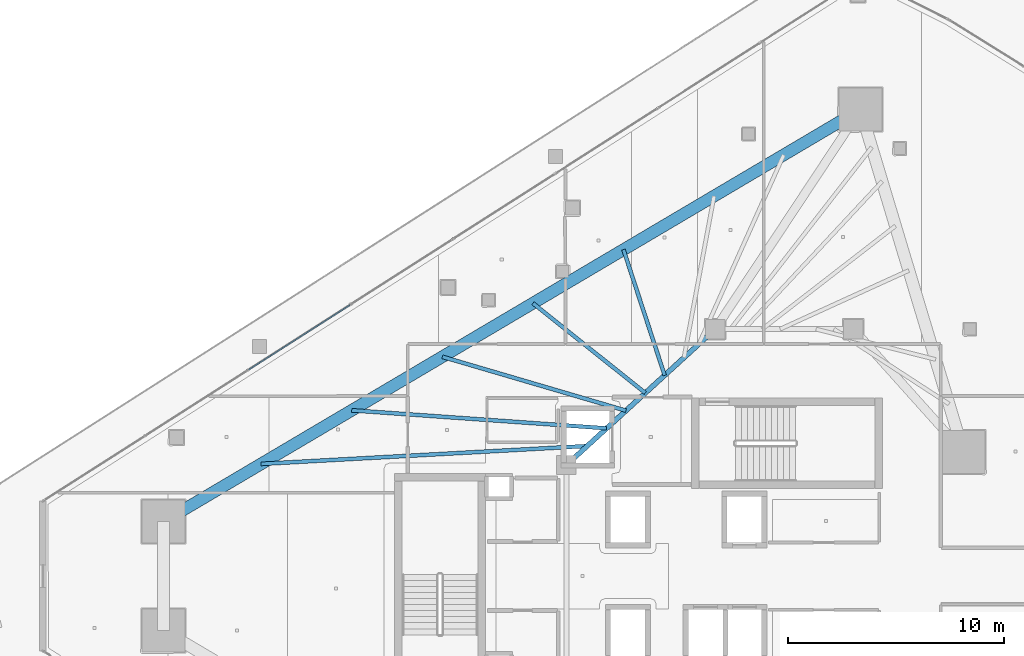
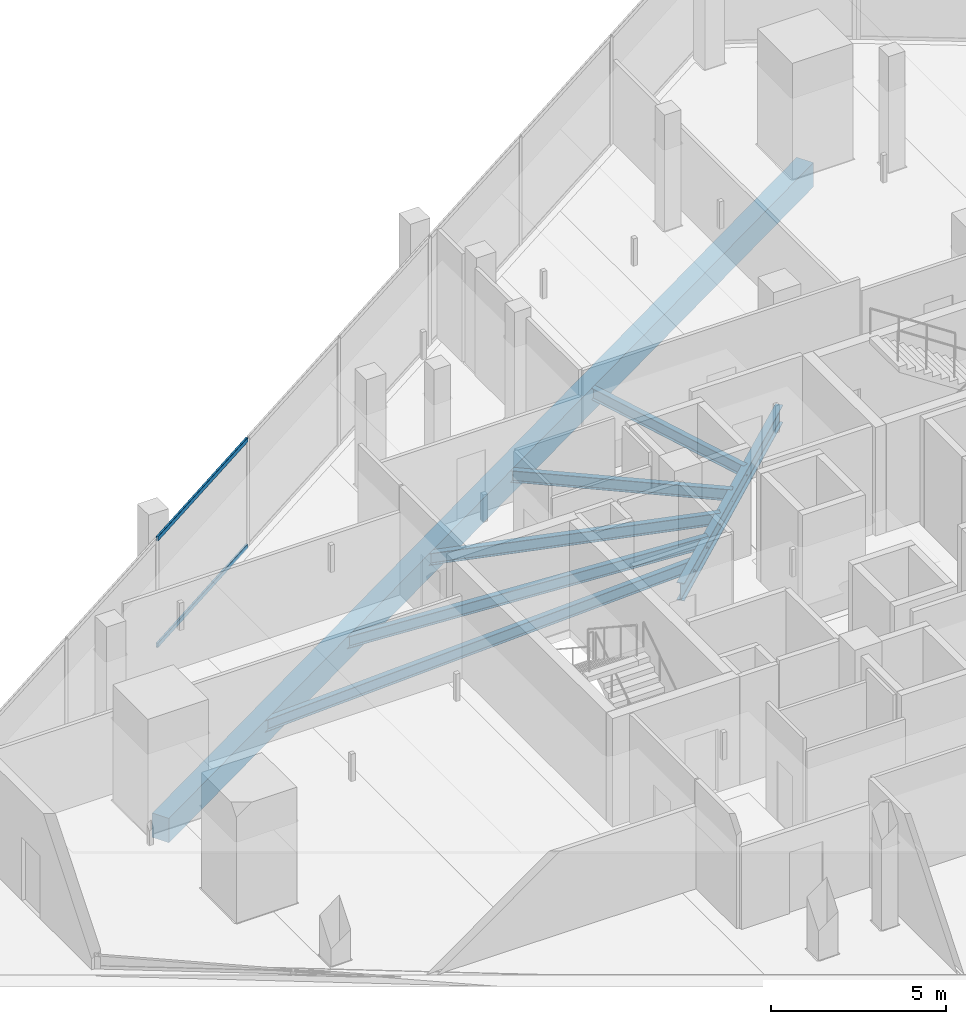
# One storey, part 16 of 37: 7 beams, 2 members, 1 element without a shape of its own.
"""IFC4 building model written with IfcOpenShell, lengths in metres."""

from ifc_helpers import new_model, si_unit, direction, frame, origin, origin_2d, place, context, subcontext, project, spatial, rectangle, hollow_rectangle, i_section, extrude, material, layer, layer_set, material_profile, profile_set, type_object, element, aggregate, save


model = new_model("IFC4")

# Units and contexts
model_context = context("Model", 3, precision=1e-05, world=origin(), true_north=direction((0.0, 1.0)))
body_context = subcontext(model_context, "Body", "Model", "MODEL_VIEW")
ifc_project = project(units=[si_unit("LENGTHUNIT", "METRE"), si_unit("AREAUNIT", "SQUARE_METRE"), si_unit("VOLUMEUNIT", "CUBIC_METRE"), si_unit("PLANEANGLEUNIT", "RADIAN"), si_unit("MASSUNIT", "GRAM", prefix="KILO")], contexts=[model_context])

# Site, building, storey
site_placement = place(None, origin())
site = spatial("IfcSite", under=ifc_project, at=site_placement, CompositionType="ELEMENT")
building_placement = place(site_placement, origin())
building = spatial("IfcBuilding", under=site, at=building_placement, Name="Qorvath Tower", CompositionType="ELEMENT")
storey_placement = place(building_placement, frame((0.0, 0.0, 196.949951171875)))
storey = spatial("IfcBuildingStorey", under=building, at=storey_placement, Name="L45", CompositionType="ELEMENT", Elevation=196.949951171875)

# Beams
ifc_material_1 = material(Name="Steel ASTM A992 Grade 50", Category="steel")
ifc_material_profile_1 = material_profile(ifc_material_1, i_section(OverallWidth=0.22998046875, OverallDepth=0.616943359375, WebThickness=0.01318359375, FlangeThickness=0.022216796875, FilletRadius=0.014892578125, at=origin_2d()), Name="W24x94")
ifc_profile_set_1 = profile_set([ifc_material_profile_1], Name="Steel ASTM A992 Grade 50")
beam_type_1 = type_object("IfcBeamType", Name="BM-FG6", PredefinedType="BEAM", material=ifc_profile_set_1)
beam_1_placement = place(storey_placement, frame((-30.5, 5.14990234375, -0.57861328125), z_axis=(0.73847813985, 0.6742774184, 0.0), x_axis=(-0.6742774184, 0.73847813985, 0.0)))
element("IfcBeam", 1, at=beam_1_placement, inside=storey, type_object=beam_type_1, Name="Core Ring Girder CC5-CC1 L45", PredefinedType="BEAM", context=body_context, shape_type="SweptSolid", body=[
    extrude(i_section(OverallWidth=0.22998046875, OverallDepth=0.616943359375, WebThickness=0.01318359375, FlangeThickness=0.022216796875, FilletRadius=0.014892578125, at=origin_2d()), origin(), (0.0, 0.0, 1.0), 9.343505859375),
])
ifc_material_2 = material(Name="Steel ASTM A992 Grade 50", Category="steel")
ifc_material_profile_2 = material_profile(ifc_material_2, i_section(OverallWidth=0.177978515625, OverallDepth=0.406005859375, WebThickness=0.0078125, FlangeThickness=0.0126953125, FilletRadius=0.010986328125, at=origin_2d()), Name="W16x40")
ifc_profile_set_2 = profile_set([ifc_material_profile_2], Name="Steel ASTM A992 Grade 50")
beam_type_2 = type_object("IfcBeamType", Name="BM-FJ3", PredefinedType="JOIST", material=ifc_profile_set_2)
beam_2_placement = place(storey_placement, frame((-29.533935546875, 6.031982421875, -0.47314453125), z_axis=(-0.998494745044, -0.054847462293, 0.0), x_axis=(0.054847462293, -0.998494745044, 0.0)))
element("IfcBeam", 2, at=beam_2_placement, inside=storey, type_object=beam_type_2, Name="Composite Floor Joist NW1 L45", PredefinedType="JOIST", context=body_context, shape_type="SweptSolid", body=[
    extrude(i_section(OverallWidth=0.177978515625, OverallDepth=0.406005859375, WebThickness=0.0078125, FlangeThickness=0.0126953125, FilletRadius=0.010986328125, at=origin_2d()), origin(), (0.0, 0.0, 1.0), 15.138671875),
])
beam_3_placement = place(storey_placement, frame((-28.636962890625, 6.85107421875, -0.47314453125), z_axis=(-0.997520476731, 0.070376832146, 0.0), x_axis=(-0.070376832146, -0.997520476731, 0.0)))
element("IfcBeam", 3, at=beam_3_placement, inside=storey, type_object=beam_type_2, Name="Composite Floor Joist NW2 L45", PredefinedType="JOIST", context=body_context, shape_type="SweptSolid", body=[
    extrude(i_section(OverallWidth=0.177978515625, OverallDepth=0.406005859375, WebThickness=0.0078125, FlangeThickness=0.0126953125, FilletRadius=0.010986328125, at=origin_2d()), origin(), (0.0, 0.0, 1.0), 11.84326171875),
])
beam_4_placement = place(storey_placement, frame((-27.739990234375, 7.669921875, -0.47314453125), z_axis=(-0.959544992264, 0.281555337049, 0.0), x_axis=(-0.281555337049, -0.959544992264, 0.0)))
element("IfcBeam", 4, at=beam_4_placement, inside=storey, type_object=beam_type_2, Name="Composite Floor Joist NW3 L45", PredefinedType="JOIST", context=body_context, shape_type="SweptSolid", body=[
    extrude(i_section(OverallWidth=0.177978515625, OverallDepth=0.406005859375, WebThickness=0.0078125, FlangeThickness=0.0126953125, FilletRadius=0.010986328125, at=origin_2d()), origin(), (0.0, 0.0, 1.0), 8.87060546875),
])
beam_5_placement = place(storey_placement, frame((-26.843017578125, 8.489013671875, -0.47314453125), z_axis=(-0.781336553339, 0.624109918537, 0.0), x_axis=(-0.624109918537, -0.781336553339, 0.0)))
element("IfcBeam", 5, at=beam_5_placement, inside=storey, type_object=beam_type_2, Name="Composite Floor Joist NW4 L45", PredefinedType="JOIST", context=body_context, shape_type="SweptSolid", body=[
    extrude(i_section(OverallWidth=0.177978515625, OverallDepth=0.406005859375, WebThickness=0.0078125, FlangeThickness=0.0126953125, FilletRadius=0.010986328125, at=origin_2d()), origin(), (0.0, 0.0, 1.0), 6.667724609375),
])
beam_6_placement = place(storey_placement, frame((-25.946044921875, 9.30810546875, -0.47314453125), z_axis=(-0.311228747452, 0.950335028692, 0.0), x_axis=(-0.950335028692, -0.311228747452, 0.0)))
element("IfcBeam", 6, at=beam_6_placement, inside=storey, type_object=beam_type_2, Name="Composite Floor Joist NW5 L45", PredefinedType="JOIST", context=body_context, shape_type="SweptSolid", body=[
    extrude(i_section(OverallWidth=0.177978515625, OverallDepth=0.406005859375, WebThickness=0.0078125, FlangeThickness=0.0126953125, FilletRadius=0.010986328125, at=origin_2d()), origin(), (0.0, 0.0, 1.0), 6.129638671875),
])
ifc_material_3 = material(Name="Concrete C50/60", Category="concrete")
ifc_material_profile_3 = material_profile(ifc_material_3, rectangle(XDim=0.550048828125, YDim=0.85009765625, at=origin_2d()), Name="RCB 850x550")
ifc_profile_set_3 = profile_set([ifc_material_profile_3], Name="Concrete C50/60")
beam_type_3 = type_object("IfcBeamType", Name="BM-RCB2", PredefinedType="SPANDREL", material=ifc_profile_set_3)
beam_7_placement = place(storey_placement, frame((-16.87158203125, 21.627197265625, -0.695068359375), z_axis=(-0.860776759786, -0.50898268125, 0.0), x_axis=(0.50898268125, -0.860776759786, 0.0)))
element("IfcBeam", 7, at=beam_7_placement, inside=storey, type_object=beam_type_3, Name="Perimeter Loggia Frame Beam MC6-MC1 L45", PredefinedType="SPANDREL", context=body_context, shape_type="SweptSolid", body=[
    extrude(rectangle(XDim=0.550048828125, YDim=0.85009765625, at=origin_2d()), origin(), (0.0, 0.0, 1.0), 37.524658203125),
])

# Curtain wall, members
ifc_material_4 = material(Name="Anodised aluminium and triple low-E glass", Category="aluminium")
ifc_layer = layer(ifc_material_4, 0.179931640625)
ifc_layer_set = layer_set([ifc_layer], Name="CW-SYS-3")
curtain_wall_type = type_object("IfcCurtainWallType", Name="CW-SYS-3", PredefinedType="NOTDEFINED", material=ifc_layer_set)
curtain_wall_placement = place(storey_placement, origin())
curtain_wall = element("IfcCurtainWall", 8, at=curtain_wall_placement, inside=storey, type_object=curtain_wall_type, Name="Curtain Wall CW-3 CW-T-L45-16.1", PredefinedType="NOTDEFINED")
ifc_material_5 = material(Name="Anodised aluminium 6063-T6", Category="aluminium")
ifc_material_profile_4 = material_profile(ifc_material_5, hollow_rectangle(XDim=0.06494140625, YDim=0.159912109375, WallThickness=0.00341796875, InnerFilletRadius=0.00341796875, OuterFilletRadius=0.007080078125, at=origin_2d()), Name="CWT 160x65")
ifc_profile_set_4 = profile_set([ifc_material_profile_4], Name="Anodised aluminium 6063-T6")
member_type = type_object("IfcMemberType", Name="CWT-160", PredefinedType="USERDEFINED", material=ifc_profile_set_4)
member_1_placement = place(storey_placement, frame((-40.53271484375, 12.566162109375, 0.032470703125), z_axis=(-0.842606844645, -0.538529205667, 0.0), x_axis=(0.538529205667, -0.842606844645, 0.0)))
member_1 = element("IfcMember", 9, at=member_1_placement, type_object=member_type, Name="CW-3 transom 6.1", ObjectType="TRANSOM", PredefinedType="USERDEFINED", context=body_context, shape_type="SweptSolid", body=[
    extrude(hollow_rectangle(XDim=0.06494140625, YDim=0.159912109375, WallThickness=0.00341796875, InnerFilletRadius=0.00341796875, OuterFilletRadius=0.007080078125, at=origin_2d()), origin(), (0.0, 0.0, 1.0), 5.5751953125),
])
member_2_placement = place(storey_placement, frame((-40.53271484375, 12.566162109375, 3.74755859375), z_axis=(-0.842606844645, -0.538529205667, 0.0), x_axis=(0.538529205667, -0.842606844645, 0.0)))
member_2 = element("IfcMember", 10, at=member_2_placement, type_object=member_type, Name="CW-3 transom 6.2", ObjectType="TRANSOM", PredefinedType="USERDEFINED", context=body_context, shape_type="SweptSolid", body=[
    extrude(hollow_rectangle(XDim=0.06494140625, YDim=0.159912109375, WallThickness=0.00341796875, InnerFilletRadius=0.00341796875, OuterFilletRadius=0.007080078125, at=origin_2d()), origin(), (0.0, 0.0, 1.0), 5.5751953125),
])
aggregate(curtain_wall, [member_1, member_2])

save(model, "model.ifc")
